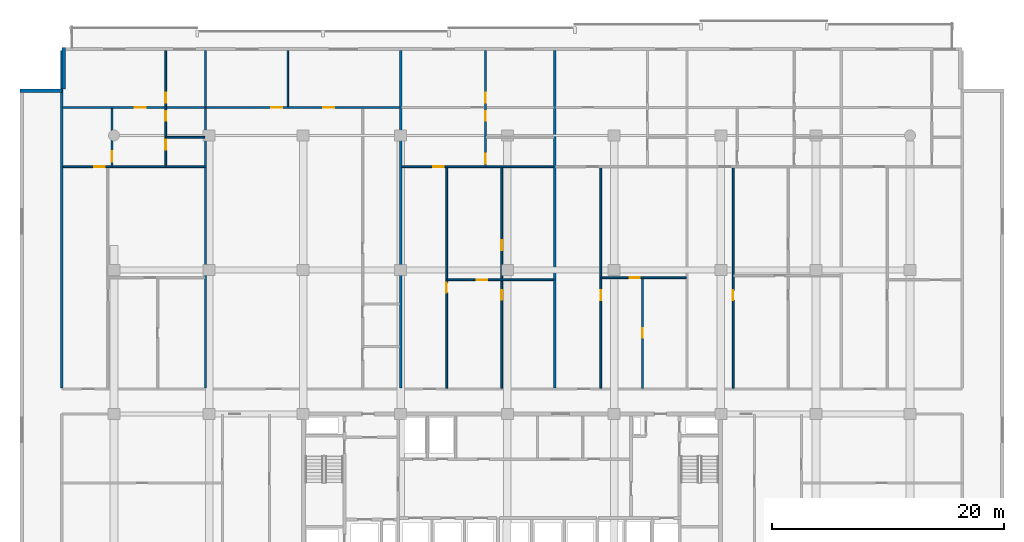
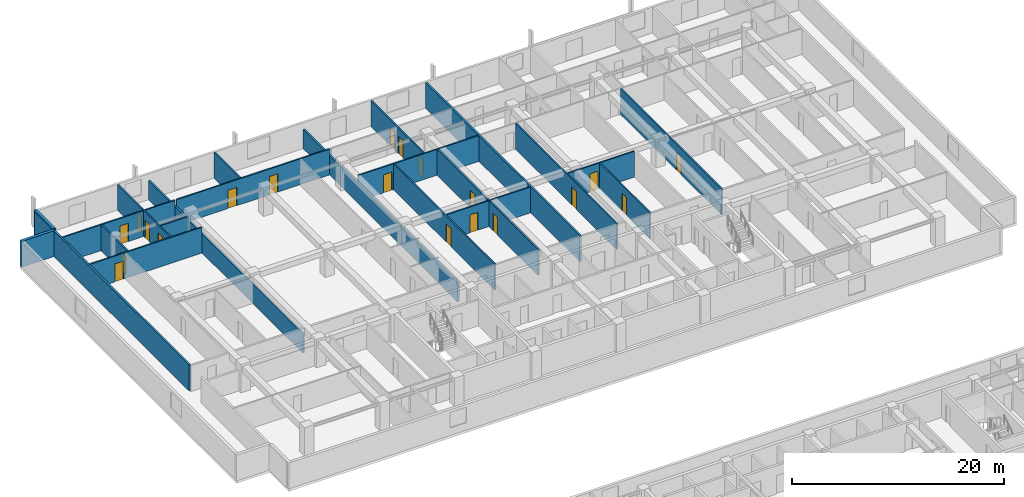
# One storey, part 14 of 23: 22 walls, 20 doors, 20 openings.
"""IFC4 building model written with IfcOpenShell, lengths in metres."""

from ifc_helpers import new_model, si_unit, direction, frame, frame_2d, origin, place, context, subcontext, project, spatial, rectangle, extrude, material, layer, layer_set, type_object, element, fill, save


model = new_model("IFC4")

# Units and contexts
model_context = context("Model", 3, precision=1e-05, world=origin(), true_north=direction((0.0, 1.0)))
body_context = subcontext(model_context, "Body", "Model", "MODEL_VIEW")
ifc_project = project(units=[si_unit("LENGTHUNIT", "METRE"), si_unit("AREAUNIT", "SQUARE_METRE"), si_unit("VOLUMEUNIT", "CUBIC_METRE"), si_unit("PLANEANGLEUNIT", "RADIAN"), si_unit("MASSUNIT", "GRAM", prefix="KILO")], contexts=[model_context])

# Site, building, storey
site_placement = place(None, origin())
site = spatial("IfcSite", under=ifc_project, at=site_placement, CompositionType="ELEMENT")
building_placement = place(site_placement, origin())
building = spatial("IfcBuilding", under=site, at=building_placement, Name="Korimba Cascade Residences", CompositionType="ELEMENT")
storey_placement = place(building_placement, frame((0.0, 0.0, 37.0)))
storey = spatial("IfcBuildingStorey", under=building, at=storey_placement, Name="L09", CompositionType="ELEMENT", Elevation=37.0)

# Walls
ifc_material_1 = material(Name="Precast concrete C40/50", Category="concrete")
ifc_layer_1 = layer(ifc_material_1, 0.300048828125)
ifc_layer_set_1 = layer_set([ifc_layer_1], Name="Precast concrete C40/50")
wall_type_1 = type_object("IfcWallType", Name="EW-STONE-300", PredefinedType="STANDARD", material=ifc_layer_set_1)
for number, where, z_axis, x_axis, name in (
    (1, (55.449951171875, 98.800048828125, 0.0), (0.0, 0.0, 1.0), (0.0, -1.0, 0.0), "L09 T1 Perimeter Stone Wall E07"),
    (2, (55.300048828125, 95.050048828125, 0.0), (0.0, 0.0, 1.0), (-1.0, 0.0, 0.0), "L09 T1 Perimeter Stone Wall E08"),
):
    element("IfcWall", number, at=place(storey_placement, frame(where, z_axis=z_axis, x_axis=x_axis)), inside=storey, type_object=wall_type_1, Name=name, PredefinedType="STANDARD", context=body_context, shape_type="SweptSolid", body=[
        extrude(rectangle(XDim=3.60009765625, YDim=0.300048828125, at=frame_2d((1.800048828125, 0.0))), origin(), (0.0, 0.0, 1.0), 2.969970703125),
    ])
ifc_layer_2 = layer(ifc_material_1, 0.199951171875)
ifc_layer_set_2 = layer_set([ifc_layer_2], Name="Precast concrete C40/50")
wall_type_2 = type_object("IfcWallType", Name="WAL-IT-200", PredefinedType="PARTITIONING", material=ifc_layer_set_2)
wall_1_placement = place(storey_placement, frame((55.300048828125, 69.429931640625, 0.0), z_axis=(0.0, 0.0, 1.0), x_axis=(0.0, 1.0, 0.0)))
element("IfcWall", 3, at=wall_1_placement, inside=storey, type_object=wall_type_2, Name="L09 Partition Wall WAL-L09-T1-BNDWL", PredefinedType="PARTITIONING", context=body_context, shape_type="SweptSolid", body=[
    extrude(rectangle(XDim=29.070068359375, YDim=0.199951171875, at=frame_2d((14.53515625, 0.0))), origin(), (0.0, 0.0, 1.0), 2.969970703125),
])
for number, where, z_axis, x_axis, name in (
    (4, (67.68017578125, 69.429931640625, 0.0), (0.0, 0.0, 1.0), (0.0, 1.0, 0.0), "L09 Partition Wall WAL-L09-T1-DEM-1"),
    (5, (84.49951171875, 69.429931640625, 0.0), (0.0, 0.0, 1.0), (0.0, 1.0, 0.0), "L09 Partition Wall WAL-L09-T1-DEM-2"),
):
    element("IfcWall", number, at=place(storey_placement, frame(where, z_axis=z_axis, x_axis=x_axis)), inside=storey, type_object=wall_type_2, Name=name, PredefinedType="PARTITIONING", context=body_context, shape_type="SweptSolid", body=[
        extrude(rectangle(XDim=29.070068359375, YDim=0.199951171875, at=frame_2d((14.53515625, 0.0))), origin(), (0.0, 0.0, 1.0), 2.219970703125),
    ])
wall_2_placement = place(storey_placement, frame((97.781982421875, 69.429931640625, 0.0), z_axis=(0.0, 0.0, 1.0), x_axis=(0.0, 1.0, 0.0)))
element("IfcWall", 6, at=wall_2_placement, inside=storey, type_object=wall_type_2, Name="L09 Partition Wall WAL-L09-T1-DEM-3", PredefinedType="PARTITIONING", context=body_context, shape_type="SweptSolid", body=[
    extrude(rectangle(XDim=29.070068359375, YDim=0.199951171875, at=frame_2d((14.53515625, 0.0))), origin(), (0.0, 0.0, 1.0), 2.969970703125),
])

# Wall, opening, door
ifc_material_2 = material(Name="Insulated Acoustic Stud Partition", Category="gypsum")
ifc_layer_3 = layer(ifc_material_2, 0.14990234375)
ifc_layer_set_3 = layer_set([ifc_layer_3], Name="Insulated Acoustic Stud Partition")
wall_type_3 = type_object("IfcWallType", Name="WAL-PART-150", PredefinedType="PARTITIONING", material=ifc_layer_set_3)
wall_3_placement = place(storey_placement, frame((59.6201171875, 88.5400390625, 0.0), z_axis=(0.0, 0.0, 1.0), x_axis=(0.0, 1.0, 0.0)))
wall_3 = element("IfcWall", 7, at=wall_3_placement, inside=storey, type_object=wall_type_3, Name="L09 Partition Wall WAL-L09-T1-U01-VDIN", PredefinedType="PARTITIONING", context=body_context, shape_type="SweptSolid", body=[
    extrude(rectangle(XDim=5.0, YDim=0.14990234375, at=frame_2d((2.5, 0.0))), origin(), (0.0, 0.0, 1.0), 2.969970703125),
])
opening_1_placement = place(wall_3_placement, frame((0.39990234375, 0.0, 0.0)))
opening_1 = element("IfcOpeningElement", 8, at=opening_1_placement, cuts=wall_3, Name="Opening D-IN2", PredefinedType="OPENING", context=body_context, shape_type="SweptSolid", body=[
    extrude(rectangle(XDim=0.8798828125, YDim=2.06005859375, at=frame_2d((0.43994140625, 1.030029296875))), frame((0.0, 0.0849609375, 0.0), z_axis=(0.0, -1.0, 0.0), x_axis=(1.0, 0.0, 0.0)), (0.0, 0.0, 1.0), 0.169921875),
])
ifc_material_3 = material(Name="Acoustic Timber Bedroom Door", Category="wood")
door_type_1 = type_object("IfcDoorType", Name="DR-INT-880", OperationType="NOTDEFINED", PredefinedType="DOOR", material=ifc_material_3)
door_1_placement = place(opening_1_placement, origin())
door_1 = element("IfcDoor", 9, at=door_1_placement, inside=storey, type_object=door_type_1, Name="L09-T1-U01 Dining Room Door", OperationType="SINGLE_SWING_LEFT", OverallHeight=2.06005859375, OverallWidth=0.8798828125, PredefinedType="DOOR", context=body_context, shape_type="SweptSolid", body=[
    extrude(rectangle(XDim=0.8798828125, YDim=2.06005859375, at=frame_2d((0.43994140625, 1.030029296875))), frame((0.0, 0.02490234375, 0.0), z_axis=(0.0, -1.0, 0.0), x_axis=(1.0, 0.0, 0.0)), (0.0, 0.0, 1.0), 0.050048828125),
])
fill(opening_1, door_1)

# Wall
wall_4_placement = place(storey_placement, frame((64.3203125, 91.0400390625, 0.0), z_axis=(0.0, 0.0, 1.0), x_axis=(1.0, 0.0, 0.0)))
element("IfcWall", 10, at=wall_4_placement, inside=storey, type_object=wall_type_3, Name="L09 Partition Wall WAL-L09-T1-U01-BLDIV", PredefinedType="PARTITIONING", context=body_context, shape_type="SweptSolid", body=[
    extrude(rectangle(XDim=3.27978515625, YDim=0.14990234375, at=frame_2d((1.639892578125, 0.0))), origin(), (0.0, 0.0, 1.0), 2.663330078125),
])

# Wall, openings, doors
wall_5_placement = place(storey_placement, frame((64.26025390625, 88.5400390625, 0.0), z_axis=(0.0, 0.0, 1.0), x_axis=(0.0, 1.0, 0.0)))
wall_5 = element("IfcWall", 11, at=wall_5_placement, inside=storey, type_object=wall_type_3, Name="L09 Partition Wall WAL-L09-T1-U01-V1", PredefinedType="PARTITIONING", context=body_context, shape_type="SweptSolid", body=[
    extrude(rectangle(XDim=9.9599609375, YDim=0.14990234375, at=frame_2d((4.97998046875, 0.0))), origin(), (0.0, 0.0, 1.0), 2.969970703125),
])
opening_2_placement = place(wall_5_placement, frame((1.430419921875, 0.0, 0.0)))
opening_2 = element("IfcOpeningElement", 12, at=opening_2_placement, cuts=wall_5, Name="Opening D-BT1", PredefinedType="OPENING", context=body_context, shape_type="SweptSolid", body=[
    extrude(rectangle(XDim=0.840087890625, YDim=2.0400390625, at=frame_2d((0.419921875, 1.02001953125))), frame((0.0, 0.0849609375, 0.0), z_axis=(0.0, -1.0, 0.0), x_axis=(1.0, 0.0, 0.0)), (0.0, 0.0, 1.0), 0.169921875),
])
opening_3_placement = place(wall_5_placement, frame((3.919921875, 0.0, 0.0)))
opening_3 = element("IfcOpeningElement", 13, at=opening_3_placement, cuts=wall_5, Name="Opening D-BT1", PredefinedType="OPENING", context=body_context, shape_type="SweptSolid", body=[
    extrude(rectangle(XDim=0.840087890625, YDim=2.0400390625, at=frame_2d((0.419921875, 1.02001953125))), frame((0.0, 0.0849609375, 0.0), z_axis=(0.0, -1.0, 0.0), x_axis=(1.0, 0.0, 0.0)), (0.0, 0.0, 1.0), 0.169921875),
])
opening_4_placement = place(wall_5_placement, frame((5.47998046875, 0.0, 0.0)))
opening_4 = element("IfcOpeningElement", 14, at=opening_4_placement, cuts=wall_5, Name="Opening D-IN2", PredefinedType="OPENING", context=body_context, shape_type="SweptSolid", body=[
    extrude(rectangle(XDim=0.8798828125, YDim=2.06005859375, at=frame_2d((0.43994140625, 1.030029296875))), frame((0.0, 0.0849609375, 0.0), z_axis=(0.0, -1.0, 0.0), x_axis=(1.0, 0.0, 0.0)), (0.0, 0.0, 1.0), 0.169921875),
])
ifc_material_4 = material(Name="Moisture-Resistant Bathroom Timber Door", Category="wood")
door_type_2 = type_object("IfcDoorType", Name="DR-INT-850", OperationType="NOTDEFINED", PredefinedType="DOOR", material=ifc_material_4)
door_2_placement = place(opening_2_placement, origin())
door_2 = element("IfcDoor", 15, at=door_2_placement, inside=storey, type_object=door_type_2, Name="L09-T1-U01 Bathroom Door", OperationType="SINGLE_SWING_RIGHT", OverallHeight=2.0400390625, OverallWidth=0.840087890625, PredefinedType="DOOR", context=body_context, shape_type="SweptSolid", body=[
    extrude(rectangle(XDim=0.840087890625, YDim=2.0400390625, at=frame_2d((0.419921875, 1.02001953125))), frame((0.0, 0.02490234375, 0.0), z_axis=(0.0, -1.0, 0.0), x_axis=(1.0, 0.0, 0.0)), (0.0, 0.0, 1.0), 0.050048828125),
])
fill(opening_2, door_2)
door_3_placement = place(opening_3_placement, origin())
door_3 = element("IfcDoor", 16, at=door_3_placement, inside=storey, type_object=door_type_2, Name="L09-T1-U01 Laundry Door", OperationType="SINGLE_SWING_LEFT", OverallHeight=2.0400390625, OverallWidth=0.840087890625, PredefinedType="DOOR", context=body_context, shape_type="SweptSolid", body=[
    extrude(rectangle(XDim=0.840087890625, YDim=2.0400390625, at=frame_2d((0.419921875, 1.02001953125))), frame((0.0, 0.02490234375, 0.0), z_axis=(0.0, -1.0, 0.0), x_axis=(1.0, 0.0, 0.0)), (0.0, 0.0, 1.0), 0.050048828125),
])
fill(opening_3, door_3)
door_4_placement = place(opening_4_placement, origin())
door_4 = element("IfcDoor", 17, at=door_4_placement, inside=storey, type_object=door_type_1, Name="L09-T1-U01 Bedroom 1 Door", OperationType="SINGLE_SWING_RIGHT", OverallHeight=2.06005859375, OverallWidth=0.8798828125, PredefinedType="DOOR", context=body_context, shape_type="SweptSolid", body=[
    extrude(rectangle(XDim=0.8798828125, YDim=2.06005859375, at=frame_2d((0.43994140625, 1.030029296875))), frame((0.0, 0.02490234375, 0.0), z_axis=(0.0, -1.0, 0.0), x_axis=(1.0, 0.0, 0.0)), (0.0, 0.0, 1.0), 0.050048828125),
])
fill(opening_4, door_4)

# Wall, opening, door
wall_6_placement = place(storey_placement, frame((55.3798828125, 88.5, 0.0), z_axis=(0.0, 0.0, 1.0), x_axis=(1.0, 0.0, 0.0)))
wall_6 = element("IfcWall", 18, at=wall_6_placement, inside=storey, type_object=wall_type_3, Name="L09 Partition Wall WAL-L09-T1-U01-MW", PredefinedType="PARTITIONING", context=body_context, shape_type="SweptSolid", body=[
    extrude(rectangle(XDim=12.22021484375, YDim=0.14990234375, at=frame_2d((6.110107421875, 0.0))), origin(), (0.0, 0.0, 1.0), 2.969970703125),
])
opening_5_placement = place(wall_6_placement, frame((2.719970703125, 0.0, 0.0)))
opening_5 = element("IfcOpeningElement", 19, at=opening_5_placement, cuts=wall_6, Name="Opening D-IN1", PredefinedType="OPENING", context=body_context, shape_type="SweptSolid", body=[
    extrude(rectangle(XDim=0.919921875, YDim=2.080078125, at=frame_2d((0.4599609375, 1.0400390625))), frame((0.0, 0.0849609375, 0.0), z_axis=(0.0, -1.0, 0.0), x_axis=(1.0, 0.0, 0.0)), (0.0, 0.0, 1.0), 0.169921875),
])
ifc_material_5 = material(Name="Acoustic Timber Living Door", Category="wood")
door_type_3 = type_object("IfcDoorType", Name="DR-INT-920", OperationType="NOTDEFINED", PredefinedType="DOOR", material=ifc_material_5)
door_5_placement = place(opening_5_placement, origin())
door_5 = element("IfcDoor", 20, at=door_5_placement, inside=storey, type_object=door_type_3, Name="L09-T1-U01 Kitchen Archway Door", OperationType="SINGLE_SWING_LEFT", OverallHeight=2.080078125, OverallWidth=0.919921875, PredefinedType="DOOR", context=body_context, shape_type="SweptSolid", body=[
    extrude(rectangle(XDim=0.919921875, YDim=2.080078125, at=frame_2d((0.4599609375, 1.0400390625))), frame((0.0, 0.02490234375, 0.0), z_axis=(0.0, -1.0, 0.0), x_axis=(1.0, 0.0, 0.0)), (0.0, 0.0, 1.0), 0.050048828125),
])
fill(opening_5, door_5)

wall_7_placement = place(storey_placement, frame((55.3798828125, 93.60009765625, 0.0), z_axis=(0.0, 0.0, 1.0), x_axis=(1.0, 0.0, 0.0)))
wall_7 = element("IfcWall", 21, at=wall_7_placement, inside=storey, type_object=wall_type_3, Name="L09 Partition Wall WAL-L09-T1-U01-HZ", PredefinedType="PARTITIONING", context=body_context, shape_type="SweptSolid", body=[
    extrude(rectangle(XDim=12.22021484375, YDim=0.14990234375, at=frame_2d((6.110107421875, 0.0))), origin(), (0.0, 0.0, 1.0), 2.969970703125),
])
opening_6_placement = place(wall_7_placement, frame((6.2021484375, 0.0, 0.0)))
opening_6 = element("IfcOpeningElement", 22, at=opening_6_placement, cuts=wall_7, Name="Opening D-IN0", PredefinedType="OPENING", context=body_context, shape_type="SweptSolid", body=[
    extrude(rectangle(XDim=0.93994140625, YDim=2.10009765625, at=frame_2d((0.469970703125, 1.050048828125))), frame((0.0, 0.0849609375, 0.0), z_axis=(0.0, -1.0, 0.0), x_axis=(1.0, 0.0, 0.0)), (0.0, 0.0, 1.0), 0.169921875),
])
ifc_material_6 = material(Name="Acoustic Timber Living Archway Door", Category="wood")
door_type_4 = type_object("IfcDoorType", Name="DR-INT-950", OperationType="NOTDEFINED", PredefinedType="DOOR", material=ifc_material_6)
door_6_placement = place(opening_6_placement, origin())
door_6 = element("IfcDoor", 23, at=door_6_placement, inside=storey, type_object=door_type_4, Name="L09-T1-U01 Living Archway Door", OperationType="SINGLE_SWING_RIGHT", OverallHeight=2.10009765625, OverallWidth=0.93994140625, PredefinedType="DOOR", context=body_context, shape_type="SweptSolid", body=[
    extrude(rectangle(XDim=0.93994140625, YDim=2.10009765625, at=frame_2d((0.469970703125, 1.050048828125))), frame((0.0, 0.02490234375, 0.0), z_axis=(0.0, -1.0, 0.0), x_axis=(1.0, 0.0, 0.0)), (0.0, 0.0, 1.0), 0.050048828125),
])
fill(opening_6, door_6)

# Wall
wall_8_placement = place(storey_placement, frame((74.784912109375, 93.679931640625, 0.0), z_axis=(0.0, 0.0, 1.0), x_axis=(0.0, 1.0, 0.0)))
element("IfcWall", 24, at=wall_8_placement, inside=storey, type_object=wall_type_3, Name="L09 Partition Wall WAL-L09-T1-U02-OUTV", PredefinedType="PARTITIONING", context=body_context, shape_type="SweptSolid", body=[
    extrude(rectangle(XDim=4.820068359375, YDim=0.14990234375, at=frame_2d((2.41015625, 0.0))), origin(), (0.0, 0.0, 1.0), 2.969970703125),
])

# Wall, openings, doors
wall_9_placement = place(storey_placement, frame((67.76025390625, 93.60009765625, 0.0), z_axis=(0.0, 0.0, 1.0), x_axis=(1.0, 0.0, 0.0)))
wall_9 = element("IfcWall", 25, at=wall_9_placement, inside=storey, type_object=wall_type_3, Name="L09 Partition Wall WAL-L09-T1-U02-HZ", PredefinedType="PARTITIONING", context=body_context, shape_type="SweptSolid", body=[
    extrude(rectangle(XDim=16.6591796875, YDim=0.14990234375, at=frame_2d((8.32958984375, 0.0))), origin(), (0.0, 0.0, 1.0), 2.969970703125),
])
opening_7_placement = place(wall_9_placement, frame((5.611083984375, 0.0, 0.0)))
opening_7 = element("IfcOpeningElement", 26, at=opening_7_placement, cuts=wall_9, Name="Opening D-IN0", PredefinedType="OPENING", context=body_context, shape_type="SweptSolid", body=[
    extrude(rectangle(XDim=0.93994140625, YDim=2.10009765625, at=frame_2d((0.469970703125, 1.050048828125))), frame((0.0, 0.0849609375, 0.0), z_axis=(0.0, -1.0, 0.0), x_axis=(1.0, 0.0, 0.0)), (0.0, 0.0, 1.0), 0.169921875),
])
opening_8_placement = place(wall_9_placement, frame((10.0771484375, 0.0, 0.0)))
opening_8 = element("IfcOpeningElement", 27, at=opening_8_placement, cuts=wall_9, Name="Opening D-IN0", PredefinedType="OPENING", context=body_context, shape_type="SweptSolid", body=[
    extrude(rectangle(XDim=0.93994140625, YDim=2.10009765625, at=frame_2d((0.469970703125, 1.050048828125))), frame((0.0, 0.0849609375, 0.0), z_axis=(0.0, -1.0, 0.0), x_axis=(1.0, 0.0, 0.0)), (0.0, 0.0, 1.0), 0.169921875),
])
door_7_placement = place(opening_7_placement, origin())
door_7 = element("IfcDoor", 28, at=door_7_placement, inside=storey, type_object=door_type_4, Name="L09-T1-U02 Executive Co-Working Office Door", OperationType="SINGLE_SWING_RIGHT", OverallHeight=2.10009765625, OverallWidth=0.93994140625, PredefinedType="DOOR", context=body_context, shape_type="SweptSolid", body=[
    extrude(rectangle(XDim=0.93994140625, YDim=2.10009765625, at=frame_2d((0.469970703125, 1.050048828125))), frame((0.0, 0.02490234375, 0.0), z_axis=(0.0, -1.0, 0.0), x_axis=(1.0, 0.0, 0.0)), (0.0, 0.0, 1.0), 0.050048828125),
])
fill(opening_7, door_7)
door_8_placement = place(opening_8_placement, origin())
door_8 = element("IfcDoor", 29, at=door_8_placement, inside=storey, type_object=door_type_4, Name="L09-T1-U02 Focus Workstation Office Door", OperationType="SINGLE_SWING_LEFT", OverallHeight=2.10009765625, OverallWidth=0.93994140625, PredefinedType="DOOR", context=body_context, shape_type="SweptSolid", body=[
    extrude(rectangle(XDim=0.93994140625, YDim=2.10009765625, at=frame_2d((0.469970703125, 1.050048828125))), frame((0.0, 0.02490234375, 0.0), z_axis=(0.0, -1.0, 0.0), x_axis=(1.0, 0.0, 0.0)), (0.0, 0.0, 1.0), 0.050048828125),
])
fill(opening_8, door_8)

wall_10_placement = place(storey_placement, frame((93.2158203125, 69.409912109375, 0.0), z_axis=(0.0, 0.0, 1.0), x_axis=(0.0, 1.0, 0.0)))
wall_10 = element("IfcWall", 30, at=wall_10_placement, inside=storey, type_object=wall_type_3, Name="L09 Partition Wall WAL-L09-T1-U03-FMV", PredefinedType="PARTITIONING", context=body_context, shape_type="SweptSolid", body=[
    extrude(rectangle(XDim=19.050048828125, YDim=0.14990234375, at=frame_2d((9.52490234375, 0.0))), origin(), (0.0, 0.0, 1.0), 2.969970703125),
])
opening_9_placement = place(wall_10_placement, frame((7.62255859375, 0.0, 0.0)))
opening_9 = element("IfcOpeningElement", 31, at=opening_9_placement, cuts=wall_10, Name="Opening D-BT1", PredefinedType="OPENING", context=body_context, shape_type="SweptSolid", body=[
    extrude(rectangle(XDim=0.840087890625, YDim=2.0400390625, at=frame_2d((0.419921875, 1.02001953125))), frame((0.0, 0.0849609375, 0.0), z_axis=(0.0, -1.0, 0.0), x_axis=(1.0, 0.0, 0.0)), (0.0, 0.0, 1.0), 0.169921875),
])
opening_10_placement = place(wall_10_placement, frame((11.89794921875, 0.0, 0.0)))
opening_10 = element("IfcOpeningElement", 32, at=opening_10_placement, cuts=wall_10, Name="Opening D-IN2", PredefinedType="OPENING", context=body_context, shape_type="SweptSolid", body=[
    extrude(rectangle(XDim=0.8798828125, YDim=2.06005859375, at=frame_2d((0.43994140625, 1.030029296875))), frame((0.0, 0.0849609375, 0.0), z_axis=(0.0, -1.0, 0.0), x_axis=(1.0, 0.0, 0.0)), (0.0, 0.0, 1.0), 0.169921875),
])
door_9_placement = place(opening_9_placement, origin())
door_9 = element("IfcDoor", 33, at=door_9_placement, inside=storey, type_object=door_type_2, Name="L09-T1-U03 Wardrobe Door", OperationType="SINGLE_SWING_RIGHT", OverallHeight=2.0400390625, OverallWidth=0.840087890625, PredefinedType="DOOR", context=body_context, shape_type="SweptSolid", body=[
    extrude(rectangle(XDim=0.840087890625, YDim=2.0400390625, at=frame_2d((0.419921875, 1.02001953125))), frame((0.0, 0.02490234375, 0.0), z_axis=(0.0, -1.0, 0.0), x_axis=(1.0, 0.0, 0.0)), (0.0, 0.0, 1.0), 0.050048828125),
])
fill(opening_9, door_9)
door_10_placement = place(opening_10_placement, origin())
door_10 = element("IfcDoor", 34, at=door_10_placement, inside=storey, type_object=door_type_1, Name="L09-T1-U03 Music Lounge Door", OperationType="SINGLE_SWING_LEFT", OverallHeight=2.06005859375, OverallWidth=0.8798828125, PredefinedType="DOOR", context=body_context, shape_type="SweptSolid", body=[
    extrude(rectangle(XDim=0.8798828125, YDim=2.06005859375, at=frame_2d((0.43994140625, 1.030029296875))), frame((0.0, 0.02490234375, 0.0), z_axis=(0.0, -1.0, 0.0), x_axis=(1.0, 0.0, 0.0)), (0.0, 0.0, 1.0), 0.050048828125),
])
fill(opening_10, door_10)

# Wall, opening, door
wall_11_placement = place(storey_placement, frame((88.529296875, 78.7548828125, 0.0), z_axis=(0.0, 0.0, 1.0), x_axis=(1.0, 0.0, 0.0)))
wall_11 = element("IfcWall", 35, at=wall_11_placement, inside=storey, type_object=wall_type_3, Name="L09 Partition Wall WAL-L09-T1-U03-FMH", PredefinedType="PARTITIONING", context=body_context, shape_type="SweptSolid", body=[
    extrude(rectangle(XDim=9.172607421875, YDim=0.14990234375, at=frame_2d((4.58642578125, 0.0))), origin(), (0.0, 0.0, 1.0), 2.969970703125),
])
opening_11_placement = place(wall_11_placement, frame((2.55078125, 0.0, 0.0)))
opening_11 = element("IfcOpeningElement", 36, at=opening_11_placement, cuts=wall_11, Name="Opening D-IN2", PredefinedType="OPENING", context=body_context, shape_type="SweptSolid", body=[
    extrude(rectangle(XDim=0.8798828125, YDim=2.06005859375, at=frame_2d((0.43994140625, 1.030029296875))), frame((0.0, 0.0849609375, 0.0), z_axis=(0.0, -1.0, 0.0), x_axis=(1.0, 0.0, 0.0)), (0.0, 0.0, 1.0), 0.169921875),
])
door_11_placement = place(opening_11_placement, origin())
door_11 = element("IfcDoor", 37, at=door_11_placement, inside=storey, type_object=door_type_1, Name="L09-T1-U03 Library Salon Door", OperationType="SINGLE_SWING_RIGHT", OverallHeight=2.06005859375, OverallWidth=0.8798828125, PredefinedType="DOOR", context=body_context, shape_type="SweptSolid", body=[
    extrude(rectangle(XDim=0.8798828125, YDim=2.06005859375, at=frame_2d((0.43994140625, 1.030029296875))), frame((0.0, 0.02490234375, 0.0), z_axis=(0.0, -1.0, 0.0), x_axis=(1.0, 0.0, 0.0)), (0.0, 0.0, 1.0), 0.050048828125),
])
fill(opening_11, door_11)

wall_12_placement = place(storey_placement, frame((88.469482421875, 69.409912109375, 0.0), z_axis=(0.0, 0.0, 1.0), x_axis=(0.0, 1.0, 0.0)))
wall_12 = element("IfcWall", 38, at=wall_12_placement, inside=storey, type_object=wall_type_3, Name="L09 Partition Wall WAL-L09-T1-U03-FV", PredefinedType="PARTITIONING", context=body_context, shape_type="SweptSolid", body=[
    extrude(rectangle(XDim=19.050048828125, YDim=0.14990234375, at=frame_2d((9.52490234375, 0.0))), origin(), (0.0, 0.0, 1.0), 2.969970703125),
])
opening_12_placement = place(wall_12_placement, frame((8.215087890625, 0.0, 0.0)))
opening_12 = element("IfcOpeningElement", 39, at=opening_12_placement, cuts=wall_12, Name="Opening D-IN2", PredefinedType="OPENING", context=body_context, shape_type="SweptSolid", body=[
    extrude(rectangle(XDim=0.8798828125, YDim=2.06005859375, at=frame_2d((0.43994140625, 1.030029296875))), frame((0.0, 0.0849609375, 0.0), z_axis=(0.0, -1.0, 0.0), x_axis=(1.0, 0.0, 0.0)), (0.0, 0.0, 1.0), 0.169921875),
])
door_12_placement = place(opening_12_placement, origin())
door_12 = element("IfcDoor", 40, at=door_12_placement, inside=storey, type_object=door_type_1, Name="L09-T1-U03 Media Lounge Door", OperationType="SINGLE_SWING_LEFT", OverallHeight=2.06005859375, OverallWidth=0.8798828125, PredefinedType="DOOR", context=body_context, shape_type="SweptSolid", body=[
    extrude(rectangle(XDim=0.8798828125, YDim=2.06005859375, at=frame_2d((0.43994140625, 1.030029296875))), frame((0.0, 0.02490234375, 0.0), z_axis=(0.0, -1.0, 0.0), x_axis=(1.0, 0.0, 0.0)), (0.0, 0.0, 1.0), 0.050048828125),
])
fill(opening_12, door_12)

# Wall, openings, doors
wall_13_placement = place(storey_placement, frame((91.820068359375, 88.5400390625, 0.0), z_axis=(0.0, 0.0, 1.0), x_axis=(0.0, 1.0, 0.0)))
wall_13 = element("IfcWall", 41, at=wall_13_placement, inside=storey, type_object=wall_type_3, Name="L09 Partition Wall WAL-L09-T1-U03-V1", PredefinedType="PARTITIONING", context=body_context, shape_type="SweptSolid", body=[
    extrude(rectangle(XDim=9.9599609375, YDim=0.14990234375, at=frame_2d((4.97998046875, 0.0))), origin(), (0.0, 0.0, 1.0), 2.969970703125),
])
opening_13_placement = place(wall_13_placement, frame((0.239990234375, 0.0, 0.0)))
opening_13 = element("IfcOpeningElement", 42, at=opening_13_placement, cuts=wall_13, Name="Opening D-BT1", PredefinedType="OPENING", context=body_context, shape_type="SweptSolid", body=[
    extrude(rectangle(XDim=0.840087890625, YDim=2.0400390625, at=frame_2d((0.419921875, 1.02001953125))), frame((0.0, 0.0849609375, 0.0), z_axis=(0.0, -1.0, 0.0), x_axis=(1.0, 0.0, 0.0)), (0.0, 0.0, 1.0), 0.169921875),
])
opening_14_placement = place(wall_13_placement, frame((3.919921875, 0.0, 0.0)))
opening_14 = element("IfcOpeningElement", 43, at=opening_14_placement, cuts=wall_13, Name="Opening D-BT1", PredefinedType="OPENING", context=body_context, shape_type="SweptSolid", body=[
    extrude(rectangle(XDim=0.840087890625, YDim=2.0400390625, at=frame_2d((0.419921875, 1.02001953125))), frame((0.0, 0.0849609375, 0.0), z_axis=(0.0, -1.0, 0.0), x_axis=(1.0, 0.0, 0.0)), (0.0, 0.0, 1.0), 0.169921875),
])
opening_15_placement = place(wall_13_placement, frame((5.47998046875, 0.0, 0.0)))
opening_15 = element("IfcOpeningElement", 44, at=opening_15_placement, cuts=wall_13, Name="Opening D-IN2", PredefinedType="OPENING", context=body_context, shape_type="SweptSolid", body=[
    extrude(rectangle(XDim=0.8798828125, YDim=2.06005859375, at=frame_2d((0.43994140625, 1.030029296875))), frame((0.0, 0.0849609375, 0.0), z_axis=(0.0, -1.0, 0.0), x_axis=(1.0, 0.0, 0.0)), (0.0, 0.0, 1.0), 0.169921875),
])
door_13_placement = place(opening_13_placement, origin())
door_13 = element("IfcDoor", 45, at=door_13_placement, inside=storey, type_object=door_type_2, Name="L09-T1-U03 Bathroom Door", OperationType="SINGLE_SWING_RIGHT", OverallHeight=2.0400390625, OverallWidth=0.840087890625, PredefinedType="DOOR", context=body_context, shape_type="SweptSolid", body=[
    extrude(rectangle(XDim=0.840087890625, YDim=2.0400390625, at=frame_2d((0.419921875, 1.02001953125))), frame((0.0, 0.02490234375, 0.0), z_axis=(0.0, -1.0, 0.0), x_axis=(1.0, 0.0, 0.0)), (0.0, 0.0, 1.0), 0.050048828125),
])
fill(opening_13, door_13)
door_14_placement = place(opening_14_placement, origin())
door_14 = element("IfcDoor", 46, at=door_14_placement, inside=storey, type_object=door_type_2, Name="L09-T1-U03 Laundry Door", OperationType="SINGLE_SWING_LEFT", OverallHeight=2.0400390625, OverallWidth=0.840087890625, PredefinedType="DOOR", context=body_context, shape_type="SweptSolid", body=[
    extrude(rectangle(XDim=0.840087890625, YDim=2.0400390625, at=frame_2d((0.419921875, 1.02001953125))), frame((0.0, 0.02490234375, 0.0), z_axis=(0.0, -1.0, 0.0), x_axis=(1.0, 0.0, 0.0)), (0.0, 0.0, 1.0), 0.050048828125),
])
fill(opening_14, door_14)
door_15_placement = place(opening_15_placement, origin())
door_15 = element("IfcDoor", 47, at=door_15_placement, inside=storey, type_object=door_type_1, Name="L09-T1-U03 Bedroom 1 Door", OperationType="SINGLE_SWING_RIGHT", OverallHeight=2.06005859375, OverallWidth=0.8798828125, PredefinedType="DOOR", context=body_context, shape_type="SweptSolid", body=[
    extrude(rectangle(XDim=0.8798828125, YDim=2.06005859375, at=frame_2d((0.43994140625, 1.030029296875))), frame((0.0, 0.02490234375, 0.0), z_axis=(0.0, -1.0, 0.0), x_axis=(1.0, 0.0, 0.0)), (0.0, 0.0, 1.0), 0.050048828125),
])
fill(opening_15, door_15)

# Wall, opening, door
wall_14_placement = place(storey_placement, frame((84.579345703125, 88.5, 0.0), z_axis=(0.0, 0.0, 1.0), x_axis=(1.0, 0.0, 0.0)))
wall_14 = element("IfcWall", 48, at=wall_14_placement, inside=storey, type_object=wall_type_3, Name="L09 Partition Wall WAL-L09-T1-U03-MW", PredefinedType="PARTITIONING", context=body_context, shape_type="SweptSolid", body=[
    extrude(rectangle(XDim=13.12255859375, YDim=0.14990234375, at=frame_2d((6.561279296875, 0.0))), origin(), (0.0, 0.0, 1.0), 2.969970703125),
])
opening_16_placement = place(wall_14_placement, frame((2.719970703125, 0.0, 0.0)))
opening_16 = element("IfcOpeningElement", 49, at=opening_16_placement, cuts=wall_14, Name="Opening D-IN1", PredefinedType="OPENING", context=body_context, shape_type="SweptSolid", body=[
    extrude(rectangle(XDim=0.919921875, YDim=2.080078125, at=frame_2d((0.4599609375, 1.0400390625))), frame((0.0, 0.0849609375, 0.0), z_axis=(0.0, -1.0, 0.0), x_axis=(1.0, 0.0, 0.0)), (0.0, 0.0, 1.0), 0.169921875),
])
door_16_placement = place(opening_16_placement, origin())
door_16 = element("IfcDoor", 50, at=door_16_placement, inside=storey, type_object=door_type_3, Name="L09-T1-U03 Kitchen Archway Door", OperationType="SINGLE_SWING_LEFT", OverallHeight=2.080078125, OverallWidth=0.919921875, PredefinedType="DOOR", context=body_context, shape_type="SweptSolid", body=[
    extrude(rectangle(XDim=0.919921875, YDim=2.080078125, at=frame_2d((0.4599609375, 1.0400390625))), frame((0.0, 0.02490234375, 0.0), z_axis=(0.0, -1.0, 0.0), x_axis=(1.0, 0.0, 0.0)), (0.0, 0.0, 1.0), 0.050048828125),
])
fill(opening_16, door_16)

wall_15_placement = place(storey_placement, frame((105.339599609375, 69.409912109375, 0.0), z_axis=(0.0, 0.0, 1.0), x_axis=(0.0, 1.0, 0.0)))
wall_15 = element("IfcWall", 51, at=wall_15_placement, inside=storey, type_object=wall_type_3, Name="L09 Partition Wall WAL-L09-T1-U04-FMV", PredefinedType="PARTITIONING", context=body_context, shape_type="SweptSolid", body=[
    extrude(rectangle(XDim=9.525146484375, YDim=0.14990234375, at=frame_2d((4.7626953125, 0.0))), origin(), (0.0, 0.0, 1.0), 2.969970703125),
])
opening_17_placement = place(wall_15_placement, frame((4.342529296875, 0.0, 0.0)))
opening_17 = element("IfcOpeningElement", 52, at=opening_17_placement, cuts=wall_15, Name="Opening D-BT1", PredefinedType="OPENING", context=body_context, shape_type="SweptSolid", body=[
    extrude(rectangle(XDim=0.840087890625, YDim=2.0400390625, at=frame_2d((0.419921875, 1.02001953125))), frame((0.0, 0.0849609375, 0.0), z_axis=(0.0, -1.0, 0.0), x_axis=(1.0, 0.0, 0.0)), (0.0, 0.0, 1.0), 0.169921875),
])
door_17_placement = place(opening_17_placement, origin())
door_17 = element("IfcDoor", 53, at=door_17_placement, inside=storey, type_object=door_type_2, Name="L09-T1-U04 Wardrobe Door", OperationType="SINGLE_SWING_LEFT", OverallHeight=2.0400390625, OverallWidth=0.840087890625, PredefinedType="DOOR", context=body_context, shape_type="SweptSolid", body=[
    extrude(rectangle(XDim=0.840087890625, YDim=2.0400390625, at=frame_2d((0.419921875, 1.02001953125))), frame((0.0, 0.02490234375, 0.0), z_axis=(0.0, -1.0, 0.0), x_axis=(1.0, 0.0, 0.0)), (0.0, 0.0, 1.0), 0.050048828125),
])
fill(opening_17, door_17)

wall_16_placement = place(storey_placement, frame((101.81201171875, 78.93505859375, 0.0), z_axis=(0.0, 0.0, 1.0), x_axis=(1.0, 0.0, 0.0)))
wall_16 = element("IfcWall", 54, at=wall_16_placement, inside=storey, type_object=wall_type_3, Name="L09 Partition Wall WAL-L09-T1-U04-FMH", PredefinedType="PARTITIONING", context=body_context, shape_type="SweptSolid", body=[
    extrude(rectangle(XDim=7.295166015625, YDim=0.14990234375, at=frame_2d((3.6474609375, 0.0))), origin(), (0.0, 0.0, 1.0), 2.969970703125),
])
opening_18_placement = place(wall_16_placement, frame((2.427490234375, 0.0, 0.0)))
opening_18 = element("IfcOpeningElement", 55, at=opening_18_placement, cuts=wall_16, Name="Opening D-IN2", PredefinedType="OPENING", context=body_context, shape_type="SweptSolid", body=[
    extrude(rectangle(XDim=0.8798828125, YDim=2.06005859375, at=frame_2d((0.43994140625, 1.030029296875))), frame((0.0, 0.0849609375, 0.0), z_axis=(0.0, -1.0, 0.0), x_axis=(1.0, 0.0, 0.0)), (0.0, 0.0, 1.0), 0.169921875),
])
door_18_placement = place(opening_18_placement, origin())
door_18 = element("IfcDoor", 56, at=door_18_placement, inside=storey, type_object=door_type_1, Name="L09-T1-U04 Library Salon Door", OperationType="SINGLE_SWING_RIGHT", OverallHeight=2.06005859375, OverallWidth=0.8798828125, PredefinedType="DOOR", context=body_context, shape_type="SweptSolid", body=[
    extrude(rectangle(XDim=0.8798828125, YDim=2.06005859375, at=frame_2d((0.43994140625, 1.030029296875))), frame((0.0, 0.02490234375, 0.0), z_axis=(0.0, -1.0, 0.0), x_axis=(1.0, 0.0, 0.0)), (0.0, 0.0, 1.0), 0.050048828125),
])
fill(opening_18, door_18)

wall_17_placement = place(storey_placement, frame((101.751953125, 69.409912109375, 0.0), z_axis=(0.0, 0.0, 1.0), x_axis=(0.0, 1.0, 0.0)))
wall_17 = element("IfcWall", 57, at=wall_17_placement, inside=storey, type_object=wall_type_3, Name="L09 Partition Wall WAL-L09-T1-U04-FV", PredefinedType="PARTITIONING", context=body_context, shape_type="SweptSolid", body=[
    extrude(rectangle(XDim=19.050048828125, YDim=0.14990234375, at=frame_2d((9.52490234375, 0.0))), origin(), (0.0, 0.0, 1.0), 2.969970703125),
])
opening_19_placement = place(wall_17_placement, frame((7.590576171875, 0.0, 0.0)))
opening_19 = element("IfcOpeningElement", 58, at=opening_19_placement, cuts=wall_17, Name="Opening D-IN2", PredefinedType="OPENING", context=body_context, shape_type="SweptSolid", body=[
    extrude(rectangle(XDim=0.8798828125, YDim=2.06005859375, at=frame_2d((0.43994140625, 1.030029296875))), frame((0.0, 0.0849609375, 0.0), z_axis=(0.0, -1.0, 0.0), x_axis=(1.0, 0.0, 0.0)), (0.0, 0.0, 1.0), 0.169921875),
])
door_19_placement = place(opening_19_placement, origin())
door_19 = element("IfcDoor", 59, at=door_19_placement, inside=storey, type_object=door_type_1, Name="L09-T1-U04 Media Lounge Door", OperationType="SINGLE_SWING_LEFT", OverallHeight=2.06005859375, OverallWidth=0.8798828125, PredefinedType="DOOR", context=body_context, shape_type="SweptSolid", body=[
    extrude(rectangle(XDim=0.8798828125, YDim=2.06005859375, at=frame_2d((0.43994140625, 1.030029296875))), frame((0.0, 0.02490234375, 0.0), z_axis=(0.0, -1.0, 0.0), x_axis=(1.0, 0.0, 0.0)), (0.0, 0.0, 1.0), 0.050048828125),
])
fill(opening_19, door_19)

wall_18_placement = place(storey_placement, frame((113.1572265625, 69.409912109375, 0.0), z_axis=(0.0, 0.0, 1.0), x_axis=(0.0, 1.0, 0.0)))
wall_18 = element("IfcWall", 60, at=wall_18_placement, inside=storey, type_object=wall_type_3, Name="L09 Partition Wall WAL-L09-T1-U05-FV", PredefinedType="PARTITIONING", context=body_context, shape_type="SweptSolid", body=[
    extrude(rectangle(XDim=19.050048828125, YDim=0.14990234375, at=frame_2d((9.52490234375, 0.0))), origin(), (0.0, 0.0, 1.0), 2.969970703125),
])
opening_20_placement = place(wall_18_placement, frame((7.587890625, 0.0, 0.0)))
opening_20 = element("IfcOpeningElement", 61, at=opening_20_placement, cuts=wall_18, Name="Opening D-IN2", PredefinedType="OPENING", context=body_context, shape_type="SweptSolid", body=[
    extrude(rectangle(XDim=0.8798828125, YDim=2.06005859375, at=frame_2d((0.43994140625, 1.030029296875))), frame((0.0, 0.0849609375, 0.0), z_axis=(0.0, -1.0, 0.0), x_axis=(1.0, 0.0, 0.0)), (0.0, 0.0, 1.0), 0.169921875),
])
door_20_placement = place(opening_20_placement, origin())
door_20 = element("IfcDoor", 62, at=door_20_placement, inside=storey, type_object=door_type_1, Name="L09-T1-U05 Media Lounge Door", OperationType="SINGLE_SWING_RIGHT", OverallHeight=2.06005859375, OverallWidth=0.8798828125, PredefinedType="DOOR", context=body_context, shape_type="SweptSolid", body=[
    extrude(rectangle(XDim=0.8798828125, YDim=2.06005859375, at=frame_2d((0.43994140625, 1.030029296875))), frame((0.0, 0.02490234375, 0.0), z_axis=(0.0, -1.0, 0.0), x_axis=(1.0, 0.0, 0.0)), (0.0, 0.0, 1.0), 0.050048828125),
])
fill(opening_20, door_20)

save(model, "model.ifc")
